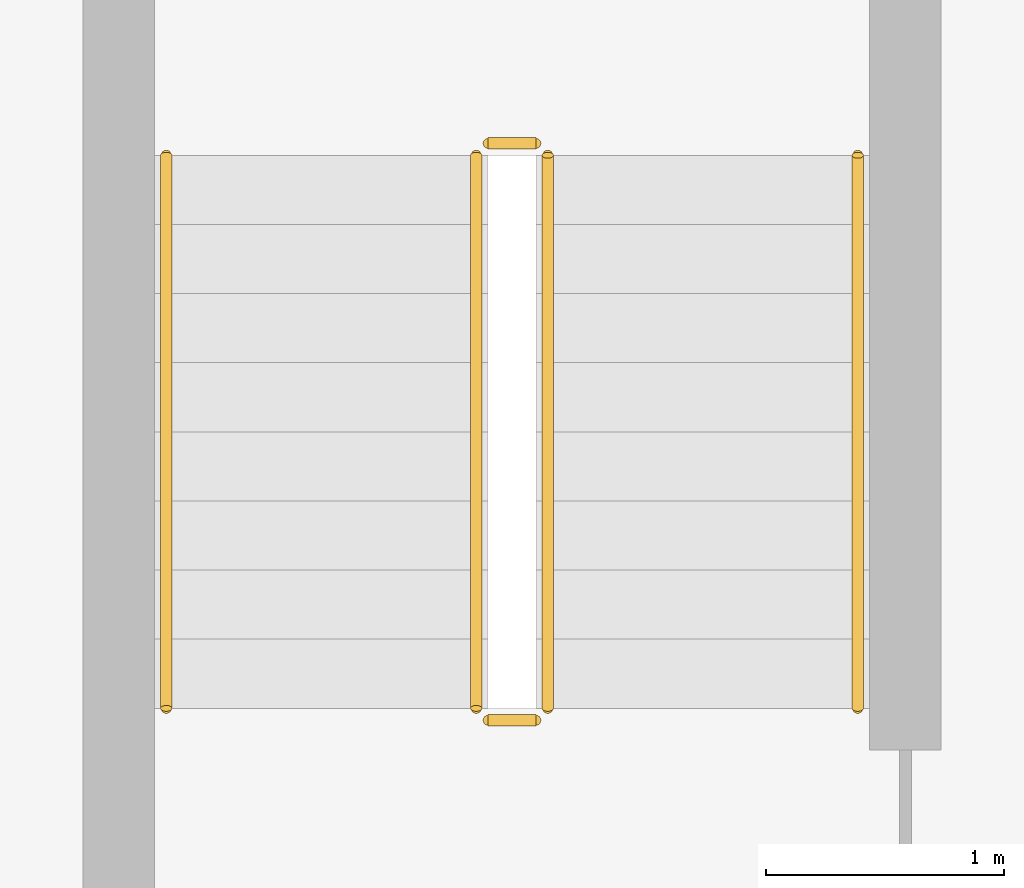
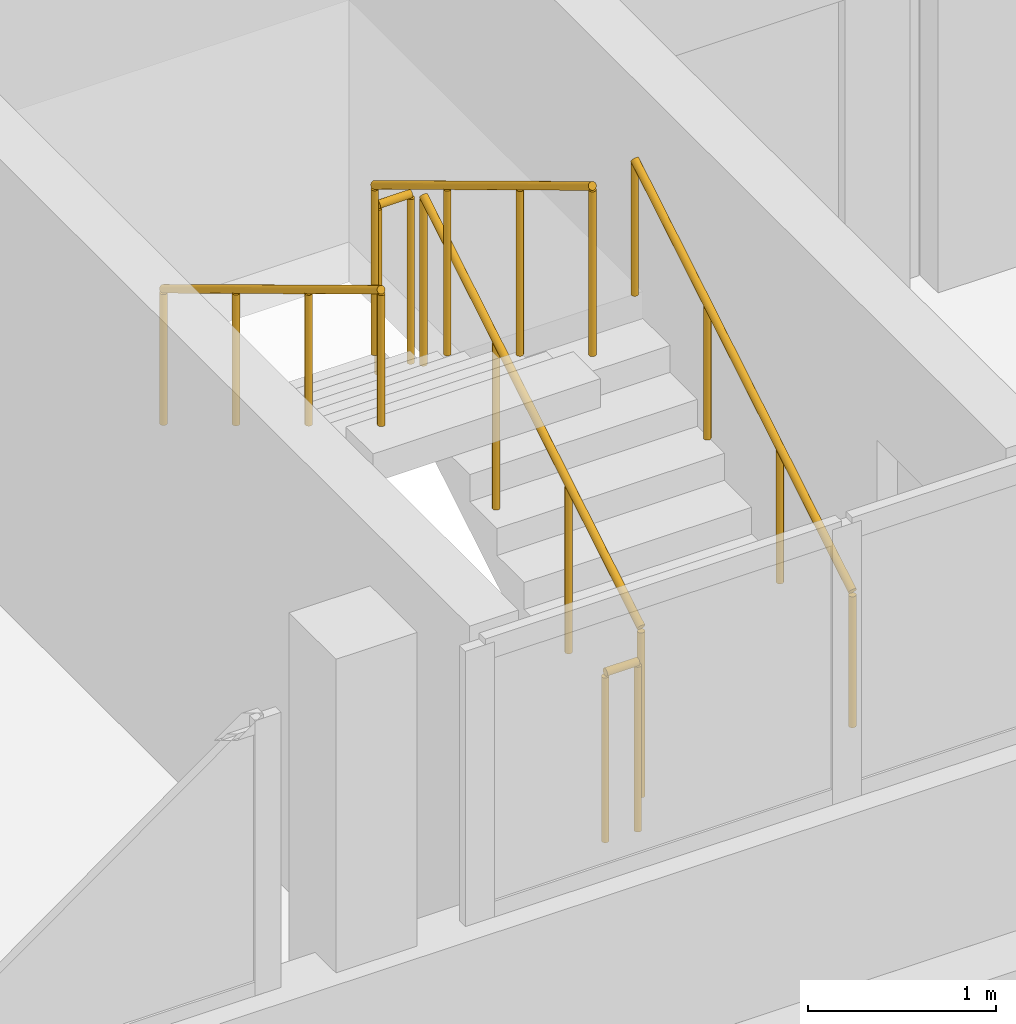
# One storey, part 22 of 29: 6 railings.
"""IFC4 building model written with IfcOpenShell, lengths in metres."""

from ifc_helpers import new_model, si_unit, derived_unit, direction, frame, origin, origin_2d, place, context, subcontext, project, spatial, circle, extrude, material, type_object, element, save


model = new_model("IFC4")

# Units and contexts
model_context = context("Model", 3, precision=1e-05, world=origin(), true_north=direction((0.0, 1.0)))
body_context = subcontext(model_context, "Body", "Model", "MODEL_VIEW")
ifc_project = project(units=[si_unit("LENGTHUNIT", "METRE"), si_unit("AREAUNIT", "SQUARE_METRE"), si_unit("VOLUMEUNIT", "CUBIC_METRE"), si_unit("PLANEANGLEUNIT", "RADIAN"), si_unit("MASSUNIT", "GRAM", prefix="KILO"), derived_unit("THERMALTRANSMITTANCEUNIT", [(si_unit("MASSUNIT", "GRAM", prefix="KILO"), 1), (si_unit("TIMEUNIT", "SECOND"), -3), (si_unit("THERMODYNAMICTEMPERATUREUNIT", "KELVIN"), -1)])], contexts=[model_context])

# Site, building, storey
site_placement = place(None, origin())
site = spatial("IfcSite", under=ifc_project, at=site_placement, CompositionType="ELEMENT")
building_placement = place(site_placement, origin())
building = spatial("IfcBuilding", under=site, at=building_placement, Name="Ochrekiln Boulevard Commons", CompositionType="ELEMENT")
storey_placement = place(building_placement, frame((0.0, 0.0, 37.27490234375)))
storey = spatial("IfcBuildingStorey", under=building, at=storey_placement, Name="L11", CompositionType="ELEMENT", Elevation=37.27490234375)

# Railings
ifc_material = material(Name="Brushed stainless steel 316 tubular railing", Category="steel")
railing_type_1 = type_object("IfcRailingType", Name="RLG-HDR-900", PredefinedType="HANDRAIL", material=ifc_material)
railing_1_placement = place(storey_placement, frame((9.35009765625, 70.27001953125, 0.175048828125)))
element("IfcRailing", 1, at=railing_1_placement, inside=storey, type_object=railing_type_1, Name="L11 ST-A1 stair handrail 1", PredefinedType="HANDRAIL", context=body_context, shape_type="SweptSolid", body=[
    extrude(circle(Radius=0.02392578125, at=origin_2d()), frame((0.0, 0.0, 0.8759765625), z_axis=(0.0, 0.856170481923, 0.516693435108), x_axis=(-1.0, 0.0, 0.0)), (0.0, 0.0, 1.0), 2.709716796875),
    extrude(circle(Radius=0.02099609375, at=origin_2d()), origin(), (0.0, 0.0, 1.0), 0.851806640625),
    extrude(circle(Radius=0.02099609375, at=origin_2d()), frame((0.0, 0.7734375, 0.466796875)), (0.0, 0.0, 1.0), 0.851806640625),
    extrude(circle(Radius=0.02099609375, at=origin_2d()), frame((0.0, 1.546630859375, 0.933349609375)), (0.0, 0.0, 1.0), 0.851806640625),
    extrude(circle(Radius=0.02099609375, at=origin_2d()), frame((0.0, 2.320068359375, 1.400146484375)), (0.0, 0.0, 1.0), 0.851806640625),
])
railing_2_placement = place(storey_placement, frame((6.449951171875, 72.590087890625, 1.75)))
element("IfcRailing", 2, at=railing_2_placement, inside=storey, type_object=railing_type_1, Name="L11 ST-A1 stair handrail 2", PredefinedType="HANDRAIL", context=body_context, shape_type="SweptSolid", body=[
    extrude(circle(Radius=0.02392578125, at=origin_2d()), frame((0.0, 0.0, 0.8759765625), z_axis=(0.0, -0.856170481923, 0.516693435108), x_axis=(1.0, 0.0, 0.0)), (0.0, 0.0, 1.0), 2.709716796875),
    extrude(circle(Radius=0.02099609375, at=origin_2d()), origin(), (0.0, 0.0, 1.0), 0.851806640625),
    extrude(circle(Radius=0.02099609375, at=origin_2d()), frame((0.0, -0.7734375, 0.466796875)), (0.0, 0.0, 1.0), 0.851806640625),
    extrude(circle(Radius=0.02099609375, at=origin_2d()), frame((0.0, -1.546630859375, 0.933349609375)), (0.0, 0.0, 1.0), 0.851806640625),
    extrude(circle(Radius=0.02099609375, at=origin_2d()), frame((0.0, -2.320068359375, 1.400146484375)), (0.0, 0.0, 1.0), 0.851806640625),
])
railing_type_2 = type_object("IfcRailingType", Name="RLG-STR-1120", PredefinedType="BALUSTRADE", material=ifc_material)
railing_3_placement = place(storey_placement, frame((8.050048828125, 70.27001953125, 0.175048828125)))
element("IfcRailing", 3, at=railing_3_placement, inside=storey, type_object=railing_type_2, Name="L11 ST-A1 stair guard 1", PredefinedType="BALUSTRADE", context=body_context, shape_type="SweptSolid", body=[
    extrude(circle(Radius=0.02392578125, at=origin_2d()), frame((0.0, 0.0, 1.09619140625), z_axis=(0.0, 0.856170481923, 0.516693435108), x_axis=(-1.0, 0.0, 0.0)), (0.0, 0.0, 1.0), 2.709716796875),
    extrude(circle(Radius=0.02099609375, at=origin_2d()), origin(), (0.0, 0.0, 1.0), 1.072021484375),
    extrude(circle(Radius=0.02099609375, at=origin_2d()), frame((0.0, 0.7734375, 0.466796875)), (0.0, 0.0, 1.0), 1.072021484375),
    extrude(circle(Radius=0.02099609375, at=origin_2d()), frame((0.0, 1.546630859375, 0.933349609375)), (0.0, 0.0, 1.0), 1.072021484375),
    extrude(circle(Radius=0.02099609375, at=origin_2d()), frame((0.0, 2.320068359375, 1.400146484375)), (0.0, 0.0, 1.0), 1.072021484375),
])
railing_4_placement = place(storey_placement, frame((8.0, 72.639892578125, 1.5751953125)))
element("IfcRailing", 4, at=railing_4_placement, inside=storey, type_object=railing_type_2, Name="L11 ST-A1 stair guard 2", PredefinedType="BALUSTRADE", context=body_context, shape_type="SweptSolid", body=[
    extrude(circle(Radius=0.02392578125, at=origin_2d()), frame((0.0, 0.0, 1.09619140625), z_axis=(-1.0, 0.0, 0.0), x_axis=(0.0, -1.0, 0.0)), (0.0, 0.0, 1.0), 0.199951171875),
    extrude(circle(Radius=0.02099609375, at=origin_2d()), origin(), (0.0, 0.0, 1.0), 1.072021484375),
    extrude(circle(Radius=0.02099609375, at=origin_2d()), frame((-0.199951171875, 0.0, 0.0)), (0.0, 0.0, 1.0), 1.072021484375),
])
railing_5_placement = place(storey_placement, frame((7.75, 72.590087890625, 1.75)))
element("IfcRailing", 5, at=railing_5_placement, inside=storey, type_object=railing_type_2, Name="L11 ST-A1 stair guard 3", PredefinedType="BALUSTRADE", context=body_context, shape_type="SweptSolid", body=[
    extrude(circle(Radius=0.02392578125, at=origin_2d()), frame((0.0, 0.0, 1.09619140625), z_axis=(0.0, -0.856170481923, 0.516693435108), x_axis=(1.0, 0.0, 0.0)), (0.0, 0.0, 1.0), 2.709716796875),
    extrude(circle(Radius=0.02099609375, at=origin_2d()), origin(), (0.0, 0.0, 1.0), 1.072021484375),
    extrude(circle(Radius=0.02099609375, at=origin_2d()), frame((0.0, -0.7734375, 0.466796875)), (0.0, 0.0, 1.0), 1.072021484375),
    extrude(circle(Radius=0.02099609375, at=origin_2d()), frame((0.0, -1.546630859375, 0.933349609375)), (0.0, 0.0, 1.0), 1.072021484375),
    extrude(circle(Radius=0.02099609375, at=origin_2d()), frame((0.0, -2.320068359375, 1.400146484375)), (0.0, 0.0, 1.0), 1.072021484375),
])
railing_6_placement = place(storey_placement, frame((8.0, 70.219970703125, 0.0)))
element("IfcRailing", 6, at=railing_6_placement, inside=storey, type_object=railing_type_2, Name="L11 ST-A1 stair guard 4", PredefinedType="BALUSTRADE", context=body_context, shape_type="SweptSolid", body=[
    extrude(circle(Radius=0.02392578125, at=origin_2d()), frame((0.0, 0.0, 1.09619140625), z_axis=(-1.0, 0.0, 0.0), x_axis=(0.0, -1.0, 0.0)), (0.0, 0.0, 1.0), 0.199951171875),
    extrude(circle(Radius=0.02099609375, at=origin_2d()), origin(), (0.0, 0.0, 1.0), 1.072021484375),
    extrude(circle(Radius=0.02099609375, at=origin_2d()), frame((-0.199951171875, 0.0, 0.0)), (0.0, 0.0, 1.0), 1.072021484375),
])

save(model, "model.ifc")
